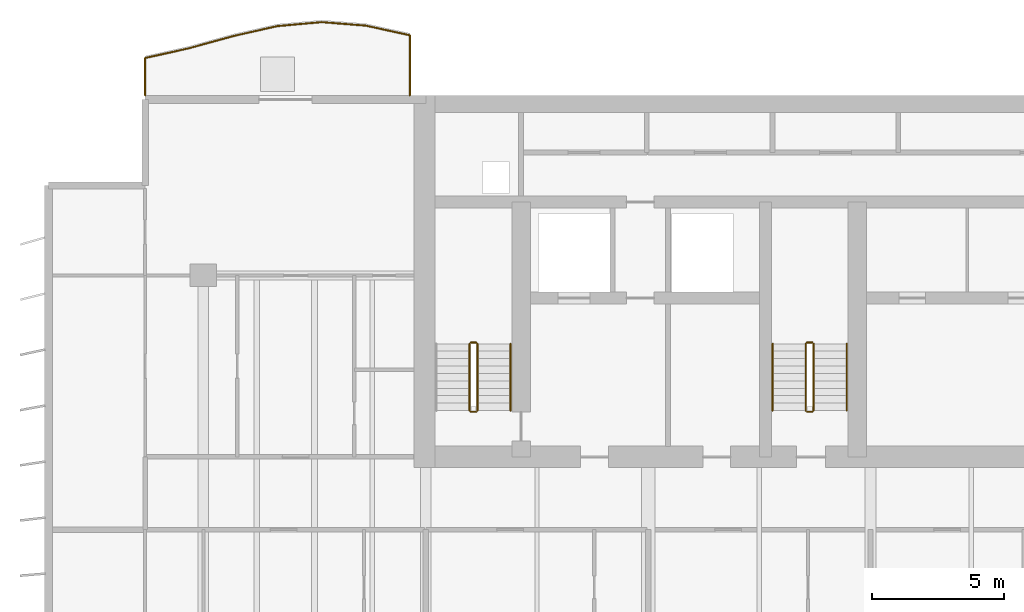
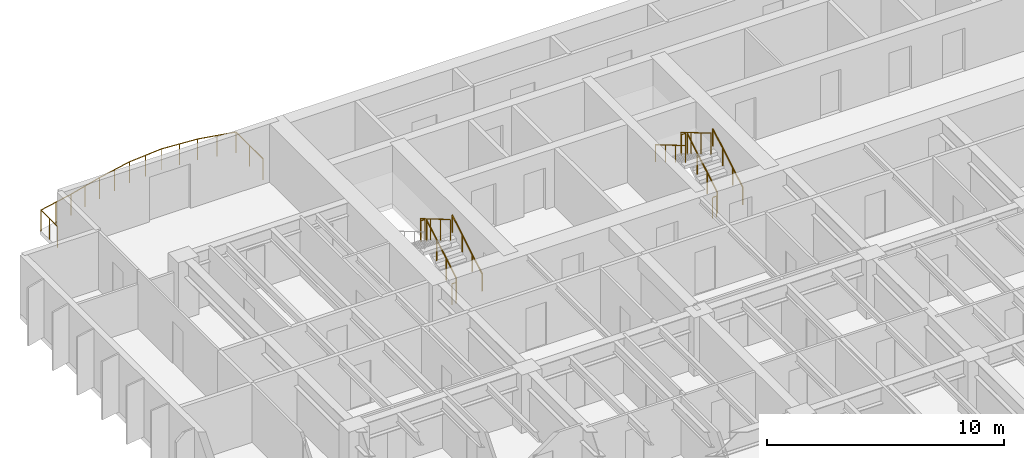
# One storey, part 14 of 16: 12 railings.
"""IFC4 building model written with IfcOpenShell, lengths in metres."""

from ifc_helpers import new_model, si_unit, direction, frame, origin, origin_2d, place, context, subcontext, project, spatial, circle, extrude, material, type_object, element, save


model = new_model("IFC4")

# Units and contexts
model_context = context("Model", 3, precision=1e-05, world=origin(), true_north=direction((0.0, 1.0)))
body_context = subcontext(model_context, "Body", "Model", "MODEL_VIEW")
ifc_project = project(units=[si_unit("LENGTHUNIT", "METRE"), si_unit("AREAUNIT", "SQUARE_METRE"), si_unit("VOLUMEUNIT", "CUBIC_METRE"), si_unit("PLANEANGLEUNIT", "RADIAN"), si_unit("MASSUNIT", "GRAM", prefix="KILO")], contexts=[model_context])

# Site, building, storey
site_placement = place(None, origin())
site = spatial("IfcSite", under=ifc_project, at=site_placement, CompositionType="ELEMENT")
building_placement = place(site_placement, origin())
building = spatial("IfcBuilding", under=site, at=building_placement, Name="Caelmar Bay Residences", CompositionType="ELEMENT")
storey_placement = place(building_placement, frame((0.0, 0.0, 148.800048828125)))
storey = spatial("IfcBuildingStorey", under=building, at=storey_placement, Name="L41", CompositionType="ELEMENT", Elevation=148.800048828125)

# Railings
ifc_material_1 = material(Name="Anodised bronze handrail with laminated hurricane glass infill", Category="glass")
railing_type_1 = type_object("IfcRailingType", Name="RL-BAL-1100", PredefinedType="BALUSTRADE", material=ifc_material_1)
railing_1_placement = place(storey_placement, frame((17.699951171875, 50.60009765625, 0.0)))
element("IfcRailing", 1, at=railing_1_placement, inside=storey, type_object=railing_type_1, Name="L41 north_west Balcony Balustrade", PredefinedType="BALUSTRADE", context=body_context, shape_type="SweptSolid", body=[
    extrude(circle(Radius=0.02392578125, at=origin_2d()), frame((0.0, 0.0, 1.076171875), z_axis=(0.0, 1.0, 0.0), x_axis=(-1.0, 0.0, 0.0)), (0.0, 0.0, 1.0), 2.27294921875),
    extrude(circle(Radius=0.02392578125, at=origin_2d()), frame((0.0, 2.27294921875, 1.076171875), z_axis=(-0.976912151589, 0.213641400663, 0.0), x_axis=(-0.213641400663, -0.976912151589, 0.0)), (0.0, 0.0, 1.0), 1.7060546875),
    extrude(circle(Radius=0.02392578125, at=origin_2d()), frame((-1.666748046875, 2.637451171875, 1.076171875), z_axis=(-0.996862466726, 0.079153158067, 0.0), x_axis=(-0.079153158067, -0.996862466726, 0.0)), (0.0, 0.0, 1.0), 1.671630859375),
    extrude(circle(Radius=0.02392578125, at=origin_2d()), frame((-3.333251953125, 2.769775390625, 1.076171875), z_axis=(-0.99599304256, -0.089430750709, 0.0), x_axis=(0.089430750709, -0.99599304256, 0.0)), (0.0, 0.0, 1.0), 1.67333984375),
    extrude(circle(Radius=0.02392578125, at=origin_2d()), frame((-5.0, 2.6201171875, 1.076171875), z_axis=(-0.975520165928, -0.219909994926, 0.0), x_axis=(0.219909994926, -0.975520165928, 0.0)), (0.0, 0.0, 1.0), 1.70849609375),
    extrude(circle(Radius=0.02392578125, at=origin_2d()), frame((-6.666748046875, 2.244384765625, 1.076171875), z_axis=(-0.963993866583, -0.265924472718, 0.0), x_axis=(0.265924472718, -0.963993866583, 0.0)), (0.0, 0.0, 1.0), 1.728759765625),
    extrude(circle(Radius=0.02392578125, at=origin_2d()), frame((-8.333251953125, 1.78466796875, 1.076171875), z_axis=(-0.976038819589, -0.21759646747, 0.0), x_axis=(0.21759646747, -0.976038819589, 0.0)), (0.0, 0.0, 1.0), 1.707763671875),
    extrude(circle(Radius=0.02392578125, at=origin_2d()), frame((-10.0, 1.4130859375, 1.076171875), z_axis=(0.0, -1.0, 0.0), x_axis=(1.0, 0.0, 0.0)), (0.0, 0.0, 1.0), 1.4130859375),
    extrude(circle(Radius=0.02099609375, at=origin_2d()), origin(), (0.0, 0.0, 1.0), 1.052001953125),
    extrude(circle(Radius=0.02099609375, at=origin_2d()), frame((0.0, 1.136474609375, 0.0)), (0.0, 0.0, 1.0), 1.052001953125),
    extrude(circle(Radius=0.02099609375, at=origin_2d()), frame((0.0, 2.27294921875, 0.0)), (0.0, 0.0, 1.0), 1.052001953125),
    extrude(circle(Radius=0.02099609375, at=origin_2d()), frame((-0.83349609375, 2.455078125, 0.0)), (0.0, 0.0, 1.0), 1.052001953125),
    extrude(circle(Radius=0.02099609375, at=origin_2d()), frame((-1.666748046875, 2.637451171875, 0.0)), (0.0, 0.0, 1.0), 1.052001953125),
    extrude(circle(Radius=0.02099609375, at=origin_2d()), frame((-2.5, 2.70361328125, 0.0)), (0.0, 0.0, 1.0), 1.052001953125),
    extrude(circle(Radius=0.02099609375, at=origin_2d()), frame((-3.333251953125, 2.769775390625, 0.0)), (0.0, 0.0, 1.0), 1.052001953125),
    extrude(circle(Radius=0.02099609375, at=origin_2d()), frame((-4.16650390625, 2.69482421875, 0.0)), (0.0, 0.0, 1.0), 1.052001953125),
    extrude(circle(Radius=0.02099609375, at=origin_2d()), frame((-5.0, 2.6201171875, 0.0)), (0.0, 0.0, 1.0), 1.052001953125),
    extrude(circle(Radius=0.02099609375, at=origin_2d()), frame((-5.83349609375, 2.43212890625, 0.0)), (0.0, 0.0, 1.0), 1.052001953125),
    extrude(circle(Radius=0.02099609375, at=origin_2d()), frame((-6.666748046875, 2.244384765625, 0.0)), (0.0, 0.0, 1.0), 1.052001953125),
    extrude(circle(Radius=0.02099609375, at=origin_2d()), frame((-7.5, 2.0146484375, 0.0)), (0.0, 0.0, 1.0), 1.052001953125),
    extrude(circle(Radius=0.02099609375, at=origin_2d()), frame((-8.333251953125, 1.78466796875, 0.0)), (0.0, 0.0, 1.0), 1.052001953125),
    extrude(circle(Radius=0.02099609375, at=origin_2d()), frame((-9.16650390625, 1.598876953125, 0.0)), (0.0, 0.0, 1.0), 1.052001953125),
    extrude(circle(Radius=0.02099609375, at=origin_2d()), frame((-10.0, 1.4130859375, 0.0)), (0.0, 0.0, 1.0), 1.052001953125),
    extrude(circle(Radius=0.02099609375, at=origin_2d()), frame((-10.0, 0.70654296875, 0.0)), (0.0, 0.0, 1.0), 1.052001953125),
    extrude(circle(Radius=0.02099609375, at=origin_2d()), frame((-10.0, 0.0, 0.0)), (0.0, 0.0, 1.0), 1.052001953125),
])
ifc_material_2 = material(Name="Painted galvanized steel stair guard 1100 mm", Category="steel")
railing_type_2 = type_object("IfcRailingType", Name="RL-GRD-1100", PredefinedType="GUARDRAIL", material=ifc_material_2)
railing_2_placement = place(storey_placement, frame((20.25, 38.699951171875, 0.1650390625)))
element("IfcRailing", 2, at=railing_2_placement, inside=storey, type_object=railing_type_2, Name="L41 ST1 stair guard 1", PredefinedType="GUARDRAIL", context=body_context, shape_type="SweptSolid", body=[
    extrude(circle(Radius=0.02392578125, at=origin_2d()), frame((0.0, 0.0, 1.076171875), z_axis=(0.0, 0.861560626758, 0.507654692109), x_axis=(-1.0, 0.0, 0.0)), (0.0, 0.0, 1.0), 2.925048828125),
    extrude(circle(Radius=0.02099609375, at=origin_2d()), origin(), (0.0, 0.0, 1.0), 1.052001953125),
    extrude(circle(Radius=0.02099609375, at=origin_2d()), frame((0.0, 0.840087890625, 0.494873046875)), (0.0, 0.0, 1.0), 1.052001953125),
    extrude(circle(Radius=0.02099609375, at=origin_2d()), frame((0.0, 1.679931640625, 0.989990234375)), (0.0, 0.0, 1.0), 1.052001953125),
    extrude(circle(Radius=0.02099609375, at=origin_2d()), frame((0.0, 2.52001953125, 1.48486328125)), (0.0, 0.0, 1.0), 1.052001953125),
])
railing_3_placement = place(storey_placement, frame((20.199951171875, 41.27001953125, 1.64990234375)))
element("IfcRailing", 3, at=railing_3_placement, inside=storey, type_object=railing_type_2, Name="L41 ST1 stair guard 2", PredefinedType="GUARDRAIL", context=body_context, shape_type="SweptSolid", body=[
    extrude(circle(Radius=0.02392578125, at=origin_2d()), frame((0.0, 0.0, 1.076171875), z_axis=(-1.0, 0.0, 0.0), x_axis=(0.0, -1.0, 0.0)), (0.0, 0.0, 1.0), 0.199951171875),
    extrude(circle(Radius=0.02099609375, at=origin_2d()), origin(), (0.0, 0.0, 1.0), 1.052001953125),
    extrude(circle(Radius=0.02099609375, at=origin_2d()), frame((-0.199951171875, 0.0, 0.0)), (0.0, 0.0, 1.0), 1.052001953125),
])
railing_4_placement = place(storey_placement, frame((19.949951171875, 41.219970703125, 1.81494140625)))
element("IfcRailing", 4, at=railing_4_placement, inside=storey, type_object=railing_type_2, Name="L41 ST1 stair guard 3", PredefinedType="GUARDRAIL", context=body_context, shape_type="SweptSolid", body=[
    extrude(circle(Radius=0.02392578125, at=origin_2d()), frame((0.0, 0.0, 1.076171875), z_axis=(0.0, -0.86152411907, 0.507716645641), x_axis=(1.0, 0.0, 0.0)), (0.0, 0.0, 1.0), 2.925048828125),
    extrude(circle(Radius=0.02099609375, at=origin_2d()), origin(), (0.0, 0.0, 1.0), 1.052001953125),
    extrude(circle(Radius=0.02099609375, at=origin_2d()), frame((0.0, -0.840087890625, 0.4951171875)), (0.0, 0.0, 1.0), 1.052001953125),
    extrude(circle(Radius=0.02099609375, at=origin_2d()), frame((0.0, -1.679931640625, 0.989990234375)), (0.0, 0.0, 1.0), 1.052001953125),
    extrude(circle(Radius=0.02099609375, at=origin_2d()), frame((0.0, -2.52001953125, 1.485107421875)), (0.0, 0.0, 1.0), 1.052001953125),
])
railing_5_placement = place(storey_placement, frame((20.199951171875, 38.64990234375, 0.0)))
element("IfcRailing", 5, at=railing_5_placement, inside=storey, type_object=railing_type_2, Name="L41 ST1 stair guard 4", PredefinedType="GUARDRAIL", context=body_context, shape_type="SweptSolid", body=[
    extrude(circle(Radius=0.02392578125, at=origin_2d()), frame((0.0, 0.0, 1.076171875), z_axis=(-1.0, 0.0, 0.0), x_axis=(0.0, -1.0, 0.0)), (0.0, 0.0, 1.0), 0.199951171875),
    extrude(circle(Radius=0.02099609375, at=origin_2d()), origin(), (0.0, 0.0, 1.0), 1.052001953125),
    extrude(circle(Radius=0.02099609375, at=origin_2d()), frame((-0.199951171875, 0.0, 0.0)), (0.0, 0.0, 1.0), 1.052001953125),
])
railing_6_placement = place(storey_placement, frame((32.949951171875, 38.699951171875, 0.1650390625)))
element("IfcRailing", 6, at=railing_6_placement, inside=storey, type_object=railing_type_2, Name="L41 ST3 stair guard 1", PredefinedType="GUARDRAIL", context=body_context, shape_type="SweptSolid", body=[
    extrude(circle(Radius=0.02392578125, at=origin_2d()), frame((0.0, 0.0, 1.076171875), z_axis=(0.0, 0.861560626758, 0.507654692109), x_axis=(-1.0, 0.0, 0.0)), (0.0, 0.0, 1.0), 2.925048828125),
    extrude(circle(Radius=0.02099609375, at=origin_2d()), origin(), (0.0, 0.0, 1.0), 1.052001953125),
    extrude(circle(Radius=0.02099609375, at=origin_2d()), frame((0.0, 0.840087890625, 0.494873046875)), (0.0, 0.0, 1.0), 1.052001953125),
    extrude(circle(Radius=0.02099609375, at=origin_2d()), frame((0.0, 1.679931640625, 0.989990234375)), (0.0, 0.0, 1.0), 1.052001953125),
    extrude(circle(Radius=0.02099609375, at=origin_2d()), frame((0.0, 2.52001953125, 1.48486328125)), (0.0, 0.0, 1.0), 1.052001953125),
])
railing_7_placement = place(storey_placement, frame((32.89990234375, 41.27001953125, 1.64990234375)))
element("IfcRailing", 7, at=railing_7_placement, inside=storey, type_object=railing_type_2, Name="L41 ST3 stair guard 2", PredefinedType="GUARDRAIL", context=body_context, shape_type="SweptSolid", body=[
    extrude(circle(Radius=0.02392578125, at=origin_2d()), frame((0.0, 0.0, 1.076171875), z_axis=(-1.0, 0.0, 0.0), x_axis=(0.0, -1.0, 0.0)), (0.0, 0.0, 1.0), 0.199951171875),
    extrude(circle(Radius=0.02099609375, at=origin_2d()), origin(), (0.0, 0.0, 1.0), 1.052001953125),
    extrude(circle(Radius=0.02099609375, at=origin_2d()), frame((-0.199951171875, 0.0, 0.0)), (0.0, 0.0, 1.0), 1.052001953125),
])
railing_8_placement = place(storey_placement, frame((32.64990234375, 41.219970703125, 1.81494140625)))
element("IfcRailing", 8, at=railing_8_placement, inside=storey, type_object=railing_type_2, Name="L41 ST3 stair guard 3", PredefinedType="GUARDRAIL", context=body_context, shape_type="SweptSolid", body=[
    extrude(circle(Radius=0.02392578125, at=origin_2d()), frame((0.0, 0.0, 1.076171875), z_axis=(0.0, -0.86152411907, 0.507716645641), x_axis=(1.0, 0.0, 0.0)), (0.0, 0.0, 1.0), 2.925048828125),
    extrude(circle(Radius=0.02099609375, at=origin_2d()), origin(), (0.0, 0.0, 1.0), 1.052001953125),
    extrude(circle(Radius=0.02099609375, at=origin_2d()), frame((0.0, -0.840087890625, 0.4951171875)), (0.0, 0.0, 1.0), 1.052001953125),
    extrude(circle(Radius=0.02099609375, at=origin_2d()), frame((0.0, -1.679931640625, 0.989990234375)), (0.0, 0.0, 1.0), 1.052001953125),
    extrude(circle(Radius=0.02099609375, at=origin_2d()), frame((0.0, -2.52001953125, 1.485107421875)), (0.0, 0.0, 1.0), 1.052001953125),
])
railing_9_placement = place(storey_placement, frame((32.89990234375, 38.64990234375, 0.0)))
element("IfcRailing", 9, at=railing_9_placement, inside=storey, type_object=railing_type_2, Name="L41 ST3 stair guard 4", PredefinedType="GUARDRAIL", context=body_context, shape_type="SweptSolid", body=[
    extrude(circle(Radius=0.02392578125, at=origin_2d()), frame((0.0, 0.0, 1.076171875), z_axis=(-1.0, 0.0, 0.0), x_axis=(0.0, -1.0, 0.0)), (0.0, 0.0, 1.0), 0.199951171875),
    extrude(circle(Radius=0.02099609375, at=origin_2d()), origin(), (0.0, 0.0, 1.0), 1.052001953125),
    extrude(circle(Radius=0.02099609375, at=origin_2d()), frame((-0.199951171875, 0.0, 0.0)), (0.0, 0.0, 1.0), 1.052001953125),
])
ifc_material_3 = material(Name="Brushed bronze stainless-steel tubular handrail 900 mm", Category="steel")
railing_type_3 = type_object("IfcRailingType", Name="RL-HND-900", PredefinedType="HANDRAIL", material=ifc_material_3)
for number, where, name in (
    (10, (21.5, 38.699951171875, 0.1650390625), "L41 ST1 stair handrail 1"),
    (11, (34.199951171875, 38.699951171875, 0.1650390625), "L41 ST3 stair handrail 1"),
):
    element("IfcRailing", number, at=place(storey_placement, frame(where)), inside=storey, type_object=railing_type_3, Name=name, PredefinedType="HANDRAIL", context=body_context, shape_type="SweptSolid", body=[
        extrude(circle(Radius=0.02392578125, at=origin_2d()), frame((0.0, 0.0, 0.8759765625), z_axis=(0.0, 0.861560626758, 0.507654692109), x_axis=(-1.0, 0.0, 0.0)), (0.0, 0.0, 1.0), 2.925048828125),
        extrude(circle(Radius=0.02099609375, at=origin_2d()), origin(), (0.0, 0.0, 1.0), 0.851806640625),
        extrude(circle(Radius=0.02099609375, at=origin_2d()), frame((0.0, 0.840087890625, 0.494873046875)), (0.0, 0.0, 1.0), 0.851806640625),
        extrude(circle(Radius=0.02099609375, at=origin_2d()), frame((0.0, 1.679931640625, 0.989990234375)), (0.0, 0.0, 1.0), 0.851806640625),
        extrude(circle(Radius=0.02099609375, at=origin_2d()), frame((0.0, 2.52001953125, 1.48486328125)), (0.0, 0.0, 1.0), 0.851806640625),
    ])
railing_10_placement = place(storey_placement, frame((31.39990234375, 41.219970703125, 1.81494140625)))
element("IfcRailing", 12, at=railing_10_placement, inside=storey, type_object=railing_type_3, Name="L41 ST3 stair handrail 2", PredefinedType="HANDRAIL", context=body_context, shape_type="SweptSolid", body=[
    extrude(circle(Radius=0.02392578125, at=origin_2d()), frame((0.0, 0.0, 0.8759765625), z_axis=(0.0, -0.86152411907, 0.507716645641), x_axis=(1.0, 0.0, 0.0)), (0.0, 0.0, 1.0), 2.925048828125),
    extrude(circle(Radius=0.02099609375, at=origin_2d()), origin(), (0.0, 0.0, 1.0), 0.851806640625),
    extrude(circle(Radius=0.02099609375, at=origin_2d()), frame((0.0, -0.840087890625, 0.4951171875)), (0.0, 0.0, 1.0), 0.851806640625),
    extrude(circle(Radius=0.02099609375, at=origin_2d()), frame((0.0, -1.679931640625, 0.989990234375)), (0.0, 0.0, 1.0), 0.851806640625),
    extrude(circle(Radius=0.02099609375, at=origin_2d()), frame((0.0, -2.52001953125, 1.485107421875)), (0.0, 0.0, 1.0), 0.851806640625),
])

save(model, "model.ifc")
